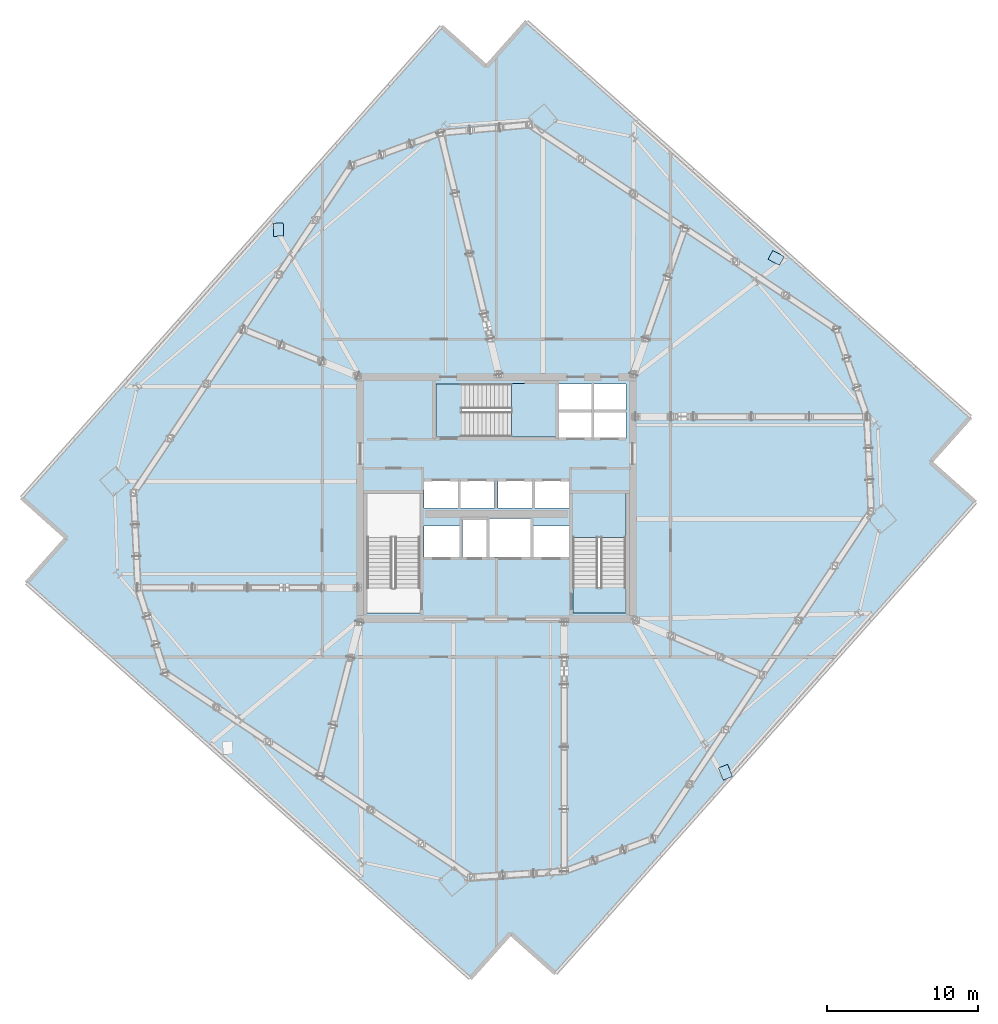
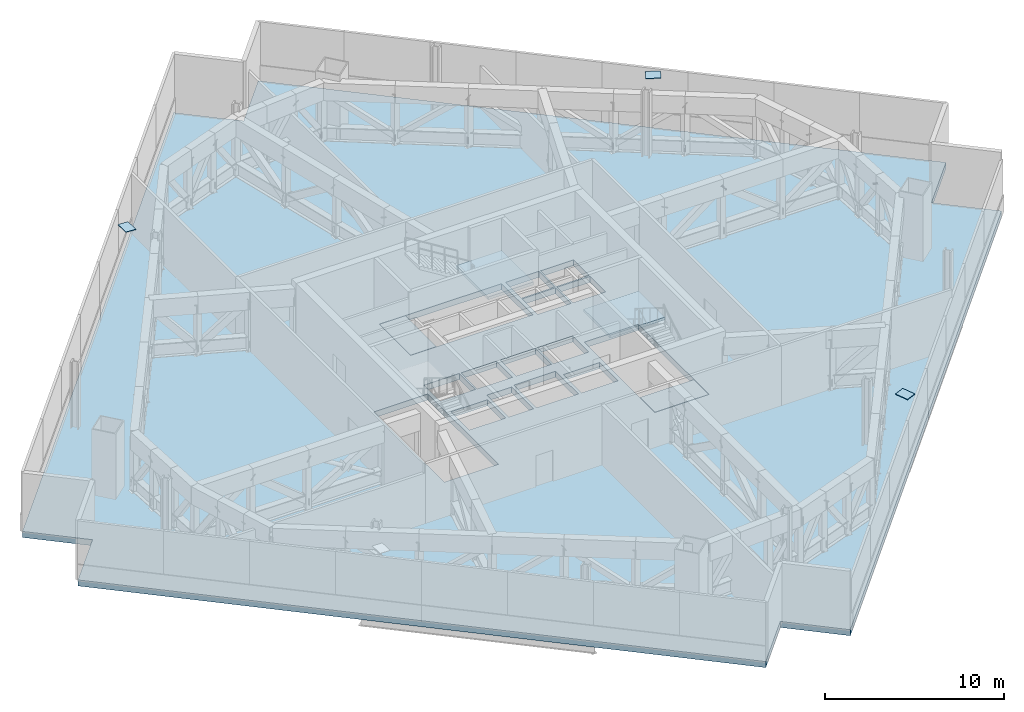
# One storey, part 7 of 18: 5 slabs, 3 plates, 2 elements without a shape of their own.
"""IFC4 building model written with IfcOpenShell, lengths in metres."""

from ifc_helpers import new_model, si_unit, direction, frame, origin, origin_2d, place, context, subcontext, project, spatial, polyline, rectangle, outline, extrude, source, transform, mapped, material, layer, layer_set, type_object, element, aggregate, save


model = new_model("IFC4")

# Units and contexts
model_context = context("Model", 3, precision=1e-05, world=origin(), true_north=direction((0.0, 1.0)))
body_context = subcontext(model_context, "Body", "Model", "MODEL_VIEW")
ifc_project = project(units=[si_unit("LENGTHUNIT", "METRE"), si_unit("AREAUNIT", "SQUARE_METRE"), si_unit("VOLUMEUNIT", "CUBIC_METRE"), si_unit("PLANEANGLEUNIT", "RADIAN"), si_unit("MASSUNIT", "GRAM", prefix="KILO")], contexts=[model_context])

# Site, building, storey
site_placement = place(None, origin())
site = spatial("IfcSite", under=ifc_project, at=site_placement, CompositionType="ELEMENT")
building_placement = place(site_placement, origin())
building = spatial("IfcBuilding", under=site, at=building_placement, Name="Haldenkirk Collegiate Tower", CompositionType="ELEMENT")
storey_placement = place(building_placement, frame((0.0, 0.0, 189.449951171875)))
storey = spatial("IfcBuildingStorey", under=building, at=storey_placement, Name="L47", CompositionType="ELEMENT", Elevation=189.449951171875)

# Slab
ifc_material_1 = material(Name="Concrete f'c 40 MPa", Category="concrete")
ifc_layer_1 = layer(ifc_material_1, 0.409912109375)
ifc_layer_set_1 = layer_set([ifc_layer_1], Name="Concrete f'c 40 MPa")
slab_type_1 = type_object("IfcSlabType", Name="SLB-FLR-410", PredefinedType="FLOOR", material=ifc_layer_set_1)
slab_1_placement = place(storey_placement, frame((0.0, 0.0, -0.409912109375)))
element("IfcSlab", 1, at=slab_1_placement, inside=storey, type_object=slab_type_1, Name="L47 composite structural floor slab", PredefinedType="FLOOR", context=body_context, shape_type="SweptSolid", body=[
    extrude(outline(polyline([(39.918701171875, -5.41650390625), (67.65869140625, 25.71826171875), (64.672119140625, 28.379150390625), (67.3330078125, 31.36572265625), (38.0087890625, 57.49267578125), (35.347900390625, 54.506103515625), (32.361328125, 57.1669921875), (4.621337890625, 26.0322265625), (7.60791015625, 23.371337890625), (4.947021484375, 20.384765625), (34.27099609375, -5.7421875), (36.931884765625, -2.755615234375), (39.918701171875, -5.41650390625)]), holes=[polyline([(27.449951171875, 18.39990234375), (30.949951171875, 18.39990234375), (30.949951171875, 26.300048828125), (27.449951171875, 26.300048828125), (27.449951171875, 18.39990234375)]), polyline([(41.050048828125, 18.39990234375), (44.550048828125, 18.39990234375), (44.550048828125, 26.300048828125), (41.050048828125, 26.300048828125), (41.050048828125, 18.39990234375)]), polyline([(32.0, 30.050048828125), (39.89990234375, 30.050048828125), (39.89990234375, 33.550048828125), (32.0, 33.550048828125), (32.0, 30.050048828125)]), polyline([(33.75, 22.10009765625), (35.35009765625, 22.10009765625), (35.35009765625, 24.550048828125), (33.75, 24.550048828125), (33.75, 22.10009765625)]), polyline([(40.14990234375, 29.949951171875), (42.320068359375, 29.949951171875), (42.320068359375, 31.699951171875), (40.14990234375, 31.699951171875), (40.14990234375, 29.949951171875)]), polyline([(42.419921875, 29.949951171875), (44.550048828125, 29.949951171875), (44.550048828125, 31.699951171875), (42.419921875, 31.699951171875), (42.419921875, 29.949951171875)]), polyline([(40.14990234375, 31.800048828125), (42.320068359375, 31.800048828125), (42.320068359375, 33.550048828125), (40.14990234375, 33.550048828125), (40.14990234375, 31.800048828125)]), polyline([(42.419921875, 31.800048828125), (44.550048828125, 31.800048828125), (44.550048828125, 33.550048828125), (42.419921875, 33.550048828125), (42.419921875, 31.800048828125)]), polyline([(31.199951171875, 25.35009765625), (33.47998046875, 25.35009765625), (33.47998046875, 27.14990234375), (31.199951171875, 27.14990234375), (31.199951171875, 25.35009765625)]), polyline([(33.60009765625, 25.35009765625), (35.8798828125, 25.35009765625), (35.8798828125, 27.14990234375), (33.60009765625, 27.14990234375), (33.60009765625, 25.35009765625)]), polyline([(36.1201171875, 25.35009765625), (38.39990234375, 25.35009765625), (38.39990234375, 27.14990234375), (36.1201171875, 27.14990234375), (36.1201171875, 25.35009765625)]), polyline([(38.52001953125, 25.35009765625), (40.800048828125, 25.35009765625), (40.800048828125, 27.14990234375), (38.52001953125, 27.14990234375), (38.52001953125, 25.35009765625)]), polyline([(31.199951171875, 22.10009765625), (33.550048828125, 22.10009765625), (33.550048828125, 24.14990234375), (31.199951171875, 24.14990234375), (31.199951171875, 22.10009765625)]), polyline([(38.449951171875, 22.10009765625), (40.800048828125, 22.10009765625), (40.800048828125, 24.14990234375), (38.449951171875, 24.14990234375), (38.449951171875, 22.10009765625)]), polyline([(35.550048828125, 22.10009765625), (38.25, 22.10009765625), (38.25, 24.64990234375), (35.550048828125, 24.64990234375), (35.550048828125, 22.10009765625)])]), origin(), (0.0, 0.0, 1.0), 0.409912109375),
])

# Stair, slab
stair_type = type_object("IfcStairType", Name="STR-DOGLEG-1650", PredefinedType="HALF_TURN_STAIR", material=ifc_material_1)
stair_1_placement = place(storey_placement, origin())
stair_1 = element("IfcStair", 2, at=stair_1_placement, inside=storey, type_object=stair_type, Name="L47 Core Exit Stair ST-2", PredefinedType="HALF_TURN_STAIR")
ifc_layer_2 = layer(ifc_material_1, 0.199951171875)
ifc_layer_set_2 = layer_set([ifc_layer_2], Name="Concrete f'c 40 MPa")
slab_type_2 = type_object("IfcSlabType", Name="SLB-LANDING-200", PredefinedType="LANDING", material=ifc_layer_set_2)
slab_2_placement = place(storey_placement, frame((0.0, 0.0, 2.050048828125)))
slab_2 = element("IfcSlab", 3, at=slab_2_placement, type_object=slab_type_2, Name="ST-2 landing 1", PredefinedType="LANDING", context=body_context, shape_type="SweptSolid", body=[
    extrude(outline(polyline([(44.574951171875, 23.385009765625), (41.02490234375, 23.385009765625), (41.02490234375, 26.324951171875), (44.574951171875, 26.324951171875), (44.574951171875, 23.385009765625)])), origin(), (0.0, 0.0, 1.0), 0.199951171875),
])
aggregate(stair_1, [slab_2])

stair_2_placement = place(storey_placement, origin())
stair_2 = element("IfcStair", 4, at=stair_2_placement, inside=storey, type_object=stair_type, Name="L47 Core Exit Stair ST-3", PredefinedType="HALF_TURN_STAIR")
slab_3_placement = place(storey_placement, frame((0.0, 0.0, 2.050048828125)))
slab_3 = element("IfcSlab", 5, at=slab_3_placement, type_object=slab_type_2, Name="ST-3 landing 1", PredefinedType="LANDING", context=body_context, shape_type="SweptSolid", body=[
    extrude(outline(polyline([(36.985107421875, 30.02490234375), (36.985107421875, 33.574951171875), (39.925048828125, 33.574951171875), (39.925048828125, 30.02490234375), (36.985107421875, 30.02490234375)])), origin(), (0.0, 0.0, 1.0), 0.199951171875),
])
aggregate(stair_2, [slab_3])

# Slabs
ifc_layer_3 = layer(ifc_material_1, 0.25)
ifc_layer_set_3 = layer_set([ifc_layer_3], Name="Concrete f'c 40 MPa")
slab_type_3 = type_object("IfcSlabType", Name="SLB-STAIRLAND-250", PredefinedType="LANDING", material=ifc_layer_set_3)
slab_4_placement = place(storey_placement, frame((0.0, 0.0, -0.25)))
element("IfcSlab", 6, at=slab_4_placement, inside=storey, type_object=slab_type_3, Name="L47 stair ST2 structural floor landing slab", PredefinedType="LANDING", context=body_context, shape_type="SweptSolid", body=[
    extrude(outline(polyline([(41.06005859375, 18.409912109375), (44.5400390625, 18.409912109375), (44.5400390625, 20.080078125), (41.06005859375, 20.080078125), (41.06005859375, 18.409912109375)])), origin(), (0.0, 0.0, 1.0), 0.25),
])
slab_5_placement = place(storey_placement, frame((0.0, 0.0, -0.25)))
element("IfcSlab", 7, at=slab_5_placement, inside=storey, type_object=slab_type_3, Name="L47 stair ST3 structural floor landing slab", PredefinedType="LANDING", context=body_context, shape_type="SweptSolid", body=[
    extrude(outline(polyline([(32.010009765625, 30.06005859375), (33.679931640625, 30.06005859375), (33.679931640625, 33.5400390625), (32.010009765625, 33.5400390625), (32.010009765625, 30.06005859375)])), origin(), (0.0, 0.0, 1.0), 0.25),
])

# Plates
ifc_material_2 = material(Name="Steel ASTM A572 Grade 50", Category="steel")
ifc_layer_4 = layer(ifc_material_2, 0.034912109375)
ifc_layer_set_4 = layer_set([ifc_layer_4], Name="Steel ASTM A572 Grade 50")
plate_type = type_object("IfcPlateType", Name="PLT-CAP-EXT-760X600", PredefinedType="USERDEFINED", material=ifc_layer_set_4)
shared_shape = source(origin(), body_context, "Body", "SweptSolid", [
    extrude(rectangle(XDim=0.860107421875, YDim=0.659912109375, at=origin_2d()), origin(), (0.0, 0.0, 1.0), 0.034912109375),
])
for number, where, z_axis, x_axis, name in (
    (8, (51.135498046875, 7.880859375, 4.0771484375), (-0.025050007219, -0.010089002907, 0.999635288072), (0.373592045712, -0.927593113052, -6.175e-09), "Perimeter Mega Brace Z3 L45-L47 SL end cap plate 2"),
    (9, (54.48828125, 41.872802734375, 4.0771484375), (-0.015117999235, -0.028587998553, 0.999476949428), (0.883996829132, -0.467492894155, -4.23017e-07), "Perimeter Mega Brace Z3 L45-L47 EL end cap plate 2"),
    (10, (21.5908203125, 43.738037109375, 4.0771484375), (0.064854975884, 0.001461999456, 0.997893628931), (-0.022530032662, 0.999746166598, -4.44564e-07), "Perimeter Mega Brace Z3 L45-L47 NL end cap plate 2"),
):
    element("IfcPlate", number, at=place(storey_placement, frame(where, z_axis=z_axis, x_axis=x_axis)), inside=storey, type_object=plate_type, Name=name, ObjectType="END CAP PLATE", PredefinedType="USERDEFINED", context=body_context, shape_type="MappedRepresentation", body=[
        mapped(shared_shape, transform((0.0, 0.0, 0.0), x_axis=(1.0, 0.0, 0.0), y_axis=(0.0, 1.0, 0.0), z_axis=(0.0, 0.0, 1.0), scale=1.0)),
    ])

save(model, "model.ifc")
